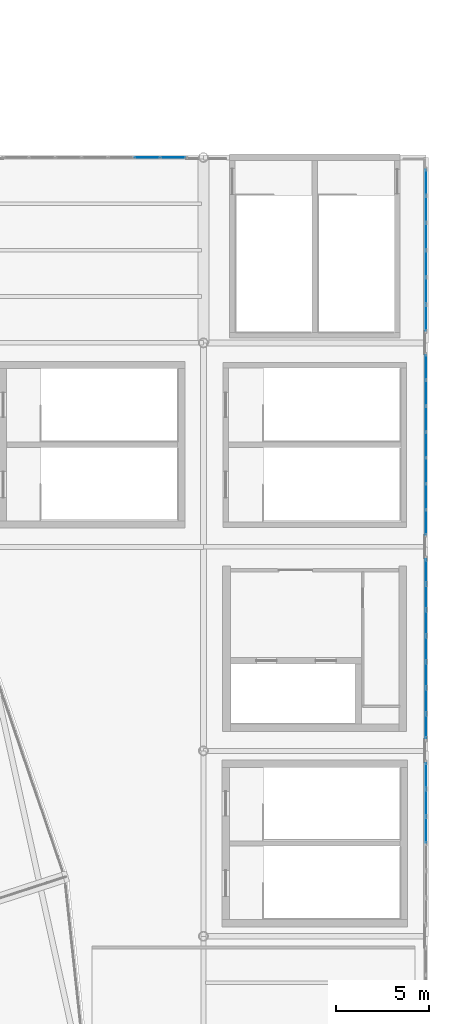
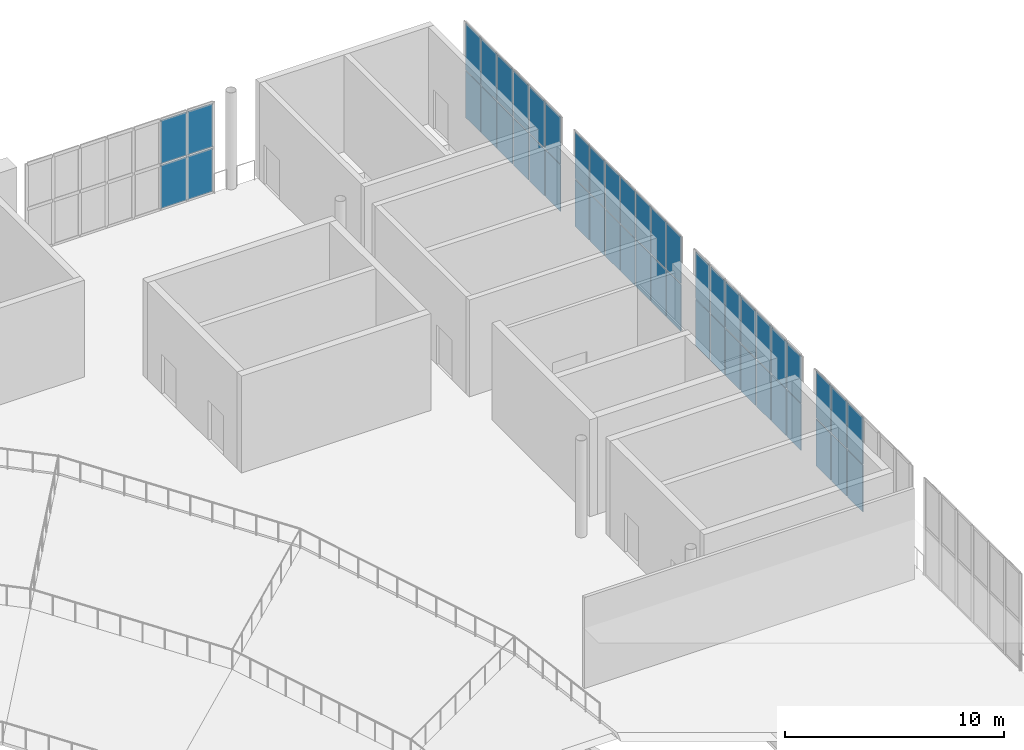
# One storey, part 49 of 74: 50 plates, 5 elements without a shape of their own.
"""IFC4 building model written with IfcOpenShell, lengths in metres."""

from ifc_helpers import new_model, si_unit, direction, frame, origin, origin_2d, place, context, subcontext, project, spatial, rectangle, extrude, material, layer, layer_set, type_object, element, aggregate, save


model = new_model("IFC4")

# Units and contexts
model_context = context("Model", 3, precision=1e-05, world=origin(), true_north=direction((0.0, 1.0)))
body_context = subcontext(model_context, "Body", "Model", "MODEL_VIEW")
ifc_project = project(units=[si_unit("LENGTHUNIT", "METRE"), si_unit("AREAUNIT", "SQUARE_METRE"), si_unit("VOLUMEUNIT", "CUBIC_METRE"), si_unit("PLANEANGLEUNIT", "RADIAN"), si_unit("MASSUNIT", "GRAM", prefix="KILO")], contexts=[model_context])

# Site, building, storey
site_placement = place(None, origin())
site = spatial("IfcSite", under=ifc_project, at=site_placement, CompositionType="ELEMENT")
building_placement = place(site_placement, origin())
building = spatial("IfcBuilding", under=site, at=building_placement, Name="Brinegate Civic Arena", CompositionType="ELEMENT")
storey_placement = place(building_placement, frame((0.0, 0.0, 19.199951171875)))
storey = spatial("IfcBuildingStorey", under=building, at=storey_placement, Name="L04", CompositionType="ELEMENT", Elevation=19.199951171875)

# Curtain wall, plates
ifc_material_1 = material(Name="Marine grade aluminium", Category="aluminium")
ifc_layer_1 = layer(ifc_material_1, 0.199951171875, Name="Marine grade aluminium")
ifc_layer_set_1 = layer_set([ifc_layer_1], Name="Marine grade aluminium")
curtain_wall_type = type_object("IfcCurtainWallType", Name="CW-BOWL-GLAZED-01", PredefinedType="USERDEFINED", material=ifc_layer_set_1)
curtain_wall_1_placement = place(storey_placement, origin())
curtain_wall_1 = element("IfcCurtainWall", 1, at=curtain_wall_1_placement, inside=storey, type_object=curtain_wall_type, Name="Curtain Wall CWA-142", ObjectType="GLAZED CURTAIN WALL", PredefinedType="USERDEFINED")
ifc_material_2 = material(Name="Hurricane laminated low-E glass", Category="glass")
ifc_layer_2 = layer(ifc_material_2, 0.028076171875, Name="Hurricane laminated low-E glass")
ifc_layer_set_2 = layer_set([ifc_layer_2], Name="Hurricane laminated low-E glass")
plate_type_1 = type_object("IfcPlateType", Name="CW-PANEL-GLAZED-28", PredefinedType="CURTAIN_PANEL", material=ifc_layer_set_2)
plate_1_placement = place(storey_placement, frame((168.0, 94.316162109375, 0.06494140625), z_axis=(0.0, 0.0, 1.0), x_axis=(0.0, 1.0, 0.0)))
plate_1 = element("IfcPlate", 2, at=plate_1_placement, type_object=plate_type_1, Name="CWA-142 panel 1.1", PredefinedType="CURTAIN_PANEL", context=body_context, shape_type="SweptSolid", body=[
    extrude(rectangle(XDim=1.302490234375, YDim=0.028076171875, at=origin_2d()), origin(), (0.0, 0.0, 1.0), 2.6025390625),
])
plate_2_placement = place(storey_placement, frame((168.0, 94.316162109375, 2.732421875), z_axis=(0.0, 0.0, 1.0), x_axis=(0.0, 1.0, 0.0)))
plate_2 = element("IfcPlate", 3, at=plate_2_placement, type_object=plate_type_1, Name="CWA-142 panel 1.2", PredefinedType="CURTAIN_PANEL", context=body_context, shape_type="SweptSolid", body=[
    extrude(rectangle(XDim=1.302490234375, YDim=0.028076171875, at=origin_2d()), origin(), (0.0, 0.0, 1.0), 2.6025390625),
])
plate_3_placement = place(storey_placement, frame((168.0, 95.699951171875, 0.06494140625), z_axis=(0.0, 0.0, 1.0), x_axis=(0.0, 1.0, 0.0)))
plate_3 = element("IfcPlate", 4, at=plate_3_placement, type_object=plate_type_1, Name="CWA-142 panel 2.1", PredefinedType="CURTAIN_PANEL", context=body_context, shape_type="SweptSolid", body=[
    extrude(rectangle(XDim=1.3349609375, YDim=0.028076171875, at=origin_2d()), origin(), (0.0, 0.0, 1.0), 2.6025390625),
])
plate_4_placement = place(storey_placement, frame((168.0, 95.699951171875, 2.732421875), z_axis=(0.0, 0.0, 1.0), x_axis=(0.0, 1.0, 0.0)))
plate_4 = element("IfcPlate", 5, at=plate_4_placement, type_object=plate_type_1, Name="CWA-142 panel 2.2", PredefinedType="CURTAIN_PANEL", context=body_context, shape_type="SweptSolid", body=[
    extrude(rectangle(XDim=1.3349609375, YDim=0.028076171875, at=origin_2d()), origin(), (0.0, 0.0, 1.0), 2.6025390625),
])
plate_5_placement = place(storey_placement, frame((168.0, 97.10009765625, 0.06494140625), z_axis=(0.0, 0.0, 1.0), x_axis=(0.0, 1.0, 0.0)))
plate_5 = element("IfcPlate", 6, at=plate_5_placement, type_object=plate_type_1, Name="CWA-142 panel 3.1", PredefinedType="CURTAIN_PANEL", context=body_context, shape_type="SweptSolid", body=[
    extrude(rectangle(XDim=1.3349609375, YDim=0.028076171875, at=origin_2d()), origin(), (0.0, 0.0, 1.0), 2.6025390625),
])
plate_6_placement = place(storey_placement, frame((168.0, 97.10009765625, 2.732421875), z_axis=(0.0, 0.0, 1.0), x_axis=(0.0, 1.0, 0.0)))
plate_6 = element("IfcPlate", 7, at=plate_6_placement, type_object=plate_type_1, Name="CWA-142 panel 3.2", PredefinedType="CURTAIN_PANEL", context=body_context, shape_type="SweptSolid", body=[
    extrude(rectangle(XDim=1.3349609375, YDim=0.028076171875, at=origin_2d()), origin(), (0.0, 0.0, 1.0), 2.6025390625),
])
plate_7_placement = place(storey_placement, frame((168.0, 98.5, 0.06494140625), z_axis=(0.0, 0.0, 1.0), x_axis=(0.0, 1.0, 0.0)))
plate_7 = element("IfcPlate", 8, at=plate_7_placement, type_object=plate_type_1, Name="CWA-142 panel 4.1", PredefinedType="CURTAIN_PANEL", context=body_context, shape_type="SweptSolid", body=[
    extrude(rectangle(XDim=1.3349609375, YDim=0.028076171875, at=origin_2d()), origin(), (0.0, 0.0, 1.0), 2.6025390625),
])
plate_8_placement = place(storey_placement, frame((168.0, 98.5, 2.732421875), z_axis=(0.0, 0.0, 1.0), x_axis=(0.0, 1.0, 0.0)))
plate_8 = element("IfcPlate", 9, at=plate_8_placement, type_object=plate_type_1, Name="CWA-142 panel 4.2", PredefinedType="CURTAIN_PANEL", context=body_context, shape_type="SweptSolid", body=[
    extrude(rectangle(XDim=1.3349609375, YDim=0.028076171875, at=origin_2d()), origin(), (0.0, 0.0, 1.0), 2.6025390625),
])
plate_9_placement = place(storey_placement, frame((168.0, 99.89990234375, 0.06494140625), z_axis=(0.0, 0.0, 1.0), x_axis=(0.0, 1.0, 0.0)))
plate_9 = element("IfcPlate", 10, at=plate_9_placement, type_object=plate_type_1, Name="CWA-142 panel 5.1", PredefinedType="CURTAIN_PANEL", context=body_context, shape_type="SweptSolid", body=[
    extrude(rectangle(XDim=1.3349609375, YDim=0.028076171875, at=origin_2d()), origin(), (0.0, 0.0, 1.0), 2.6025390625),
])
plate_10_placement = place(storey_placement, frame((168.0, 99.89990234375, 2.732421875), z_axis=(0.0, 0.0, 1.0), x_axis=(0.0, 1.0, 0.0)))
plate_10 = element("IfcPlate", 11, at=plate_10_placement, type_object=plate_type_1, Name="CWA-142 panel 5.2", PredefinedType="CURTAIN_PANEL", context=body_context, shape_type="SweptSolid", body=[
    extrude(rectangle(XDim=1.3349609375, YDim=0.028076171875, at=origin_2d()), origin(), (0.0, 0.0, 1.0), 2.6025390625),
])
plate_11_placement = place(storey_placement, frame((168.0, 101.300048828125, 0.06494140625), z_axis=(0.0, 0.0, 1.0), x_axis=(0.0, 1.0, 0.0)))
plate_11 = element("IfcPlate", 12, at=plate_11_placement, type_object=plate_type_1, Name="CWA-142 panel 6.1", PredefinedType="CURTAIN_PANEL", context=body_context, shape_type="SweptSolid", body=[
    extrude(rectangle(XDim=1.3349609375, YDim=0.028076171875, at=origin_2d()), origin(), (0.0, 0.0, 1.0), 2.6025390625),
])
plate_12_placement = place(storey_placement, frame((168.0, 101.300048828125, 2.732421875), z_axis=(0.0, 0.0, 1.0), x_axis=(0.0, 1.0, 0.0)))
plate_12 = element("IfcPlate", 13, at=plate_12_placement, type_object=plate_type_1, Name="CWA-142 panel 6.2", PredefinedType="CURTAIN_PANEL", context=body_context, shape_type="SweptSolid", body=[
    extrude(rectangle(XDim=1.3349609375, YDim=0.028076171875, at=origin_2d()), origin(), (0.0, 0.0, 1.0), 2.6025390625),
])
plate_13_placement = place(storey_placement, frame((168.0, 102.683837890625, 0.06494140625), z_axis=(0.0, 0.0, 1.0), x_axis=(0.0, 1.0, 0.0)))
plate_13 = element("IfcPlate", 14, at=plate_13_placement, type_object=plate_type_1, Name="CWA-142 panel 7.1", PredefinedType="CURTAIN_PANEL", context=body_context, shape_type="SweptSolid", body=[
    extrude(rectangle(XDim=1.302490234375, YDim=0.028076171875, at=origin_2d()), origin(), (0.0, 0.0, 1.0), 2.6025390625),
])
plate_14_placement = place(storey_placement, frame((168.0, 102.683837890625, 2.732421875), z_axis=(0.0, 0.0, 1.0), x_axis=(0.0, 1.0, 0.0)))
plate_14 = element("IfcPlate", 15, at=plate_14_placement, type_object=plate_type_1, Name="CWA-142 panel 7.2", PredefinedType="CURTAIN_PANEL", context=body_context, shape_type="SweptSolid", body=[
    extrude(rectangle(XDim=1.302490234375, YDim=0.028076171875, at=origin_2d()), origin(), (0.0, 0.0, 1.0), 2.6025390625),
])
aggregate(curtain_wall_1, [plate_1, plate_2, plate_3, plate_4, plate_5, plate_6, plate_7, plate_8, plate_9, plate_10, plate_11, plate_12, plate_13, plate_14])

curtain_wall_2_placement = place(storey_placement, origin())
curtain_wall_2 = element("IfcCurtainWall", 16, at=curtain_wall_2_placement, inside=storey, type_object=curtain_wall_type, Name="Curtain Wall CWA-152", ObjectType="GLAZED CURTAIN WALL", PredefinedType="USERDEFINED")
plate_15_placement = place(storey_placement, frame((152.968505859375, 114.0, 0.0751953125), z_axis=(0.0, 0.0, 1.0), x_axis=(1.0, 0.0, 0.0)))
plate_15 = element("IfcPlate", 17, at=plate_15_placement, type_object=plate_type_1, Name="CWA-152 panel 6.1", PredefinedType="CURTAIN_PANEL", context=body_context, shape_type="SweptSolid", body=[
    extrude(rectangle(XDim=1.35009765625, YDim=0.028076171875, at=origin_2d()), origin(), (0.0, 0.0, 1.0), 2.422607421875),
])
plate_16_placement = place(storey_placement, frame((152.968505859375, 114.0, 2.572265625), z_axis=(0.0, 0.0, 1.0), x_axis=(1.0, 0.0, 0.0)))
plate_16 = element("IfcPlate", 18, at=plate_16_placement, type_object=plate_type_1, Name="CWA-152 panel 6.2", PredefinedType="CURTAIN_PANEL", context=body_context, shape_type="SweptSolid", body=[
    extrude(rectangle(XDim=1.35009765625, YDim=0.028076171875, at=origin_2d()), origin(), (0.0, 0.0, 1.0), 2.422607421875),
])
plate_17_placement = place(storey_placement, frame((154.3671875, 114.0, 0.0751953125), z_axis=(0.0, 0.0, 1.0), x_axis=(1.0, 0.0, 0.0)))
plate_17 = element("IfcPlate", 19, at=plate_17_placement, type_object=plate_type_1, Name="CWA-152 panel 7.1", PredefinedType="CURTAIN_PANEL", context=body_context, shape_type="SweptSolid", body=[
    extrude(rectangle(XDim=1.3173828125, YDim=0.028076171875, at=origin_2d()), origin(), (0.0, 0.0, 1.0), 2.422607421875),
])
plate_18_placement = place(storey_placement, frame((154.3671875, 114.0, 2.572265625), z_axis=(0.0, 0.0, 1.0), x_axis=(1.0, 0.0, 0.0)))
plate_18 = element("IfcPlate", 20, at=plate_18_placement, type_object=plate_type_1, Name="CWA-152 panel 7.2", PredefinedType="CURTAIN_PANEL", context=body_context, shape_type="SweptSolid", body=[
    extrude(rectangle(XDim=1.3173828125, YDim=0.028076171875, at=origin_2d()), origin(), (0.0, 0.0, 1.0), 2.422607421875),
])
aggregate(curtain_wall_2, [plate_15, plate_16, plate_17, plate_18])

curtain_wall_3_placement = place(storey_placement, origin())
curtain_wall_3 = element("IfcCurtainWall", 21, at=curtain_wall_3_placement, inside=storey, type_object=curtain_wall_type, Name="Curtain Wall CWA-143", ObjectType="GLAZED CURTAIN WALL", PredefinedType="USERDEFINED")
ifc_layer_3 = layer(ifc_material_2, 0.031982421875, Name="Hurricane laminated low-E glass")
ifc_layer_set_3 = layer_set([ifc_layer_3], Name="Hurricane laminated low-E glass")
plate_type_2 = type_object("IfcPlateType", Name="CW-PANEL-GLAZED-32", PredefinedType="CURTAIN_PANEL", material=ifc_layer_set_3)
plate_19_placement = place(storey_placement, frame((168.0, 105.349609375, 0.06494140625), z_axis=(0.0, 0.0, 1.0), x_axis=(0.0, 1.0, 0.0)))
plate_19 = element("IfcPlate", 22, at=plate_19_placement, type_object=plate_type_2, Name="CWA-143 panel 1.1", PredefinedType="CURTAIN_PANEL", context=body_context, shape_type="SweptSolid", body=[
    extrude(rectangle(XDim=1.369140625, YDim=0.031982421875, at=origin_2d()), origin(), (0.0, 0.0, 1.0), 2.6025390625),
])
plate_20_placement = place(storey_placement, frame((168.0, 105.349609375, 2.732421875), z_axis=(0.0, 0.0, 1.0), x_axis=(0.0, 1.0, 0.0)))
plate_20 = element("IfcPlate", 23, at=plate_20_placement, type_object=plate_type_2, Name="CWA-143 panel 1.2", PredefinedType="CURTAIN_PANEL", context=body_context, shape_type="SweptSolid", body=[
    extrude(rectangle(XDim=1.369140625, YDim=0.031982421875, at=origin_2d()), origin(), (0.0, 0.0, 1.0), 2.6025390625),
])
plate_21_placement = place(storey_placement, frame((168.0, 106.800048828125, 0.06494140625), z_axis=(0.0, 0.0, 1.0), x_axis=(0.0, 1.0, 0.0)))
plate_21 = element("IfcPlate", 24, at=plate_21_placement, type_object=plate_type_2, Name="CWA-143 panel 2.1", PredefinedType="CURTAIN_PANEL", context=body_context, shape_type="SweptSolid", body=[
    extrude(rectangle(XDim=1.401611328125, YDim=0.031982421875, at=origin_2d()), origin(), (0.0, 0.0, 1.0), 2.6025390625),
])
plate_22_placement = place(storey_placement, frame((168.0, 106.800048828125, 2.732421875), z_axis=(0.0, 0.0, 1.0), x_axis=(0.0, 1.0, 0.0)))
plate_22 = element("IfcPlate", 25, at=plate_22_placement, type_object=plate_type_2, Name="CWA-143 panel 2.2", PredefinedType="CURTAIN_PANEL", context=body_context, shape_type="SweptSolid", body=[
    extrude(rectangle(XDim=1.401611328125, YDim=0.031982421875, at=origin_2d()), origin(), (0.0, 0.0, 1.0), 2.6025390625),
])
plate_23_placement = place(storey_placement, frame((168.0, 108.2666015625, 0.06494140625), z_axis=(0.0, 0.0, 1.0), x_axis=(0.0, 1.0, 0.0)))
plate_23 = element("IfcPlate", 26, at=plate_23_placement, type_object=plate_type_2, Name="CWA-143 panel 3.1", PredefinedType="CURTAIN_PANEL", context=body_context, shape_type="SweptSolid", body=[
    extrude(rectangle(XDim=1.401611328125, YDim=0.031982421875, at=origin_2d()), origin(), (0.0, 0.0, 1.0), 2.6025390625),
])
plate_24_placement = place(storey_placement, frame((168.0, 108.2666015625, 2.732421875), z_axis=(0.0, 0.0, 1.0), x_axis=(0.0, 1.0, 0.0)))
plate_24 = element("IfcPlate", 27, at=plate_24_placement, type_object=plate_type_2, Name="CWA-143 panel 3.2", PredefinedType="CURTAIN_PANEL", context=body_context, shape_type="SweptSolid", body=[
    extrude(rectangle(XDim=1.401611328125, YDim=0.031982421875, at=origin_2d()), origin(), (0.0, 0.0, 1.0), 2.6025390625),
])
plate_25_placement = place(storey_placement, frame((168.0, 109.7333984375, 0.06494140625), z_axis=(0.0, 0.0, 1.0), x_axis=(0.0, 1.0, 0.0)))
plate_25 = element("IfcPlate", 28, at=plate_25_placement, type_object=plate_type_2, Name="CWA-143 panel 4.1", PredefinedType="CURTAIN_PANEL", context=body_context, shape_type="SweptSolid", body=[
    extrude(rectangle(XDim=1.401611328125, YDim=0.031982421875, at=origin_2d()), origin(), (0.0, 0.0, 1.0), 2.6025390625),
])
plate_26_placement = place(storey_placement, frame((168.0, 109.7333984375, 2.732421875), z_axis=(0.0, 0.0, 1.0), x_axis=(0.0, 1.0, 0.0)))
plate_26 = element("IfcPlate", 29, at=plate_26_placement, type_object=plate_type_2, Name="CWA-143 panel 4.2", PredefinedType="CURTAIN_PANEL", context=body_context, shape_type="SweptSolid", body=[
    extrude(rectangle(XDim=1.401611328125, YDim=0.031982421875, at=origin_2d()), origin(), (0.0, 0.0, 1.0), 2.6025390625),
])
plate_27_placement = place(storey_placement, frame((168.0, 111.199951171875, 0.06494140625), z_axis=(0.0, 0.0, 1.0), x_axis=(0.0, 1.0, 0.0)))
plate_27 = element("IfcPlate", 30, at=plate_27_placement, type_object=plate_type_2, Name="CWA-143 panel 5.1", PredefinedType="CURTAIN_PANEL", context=body_context, shape_type="SweptSolid", body=[
    extrude(rectangle(XDim=1.401611328125, YDim=0.031982421875, at=origin_2d()), origin(), (0.0, 0.0, 1.0), 2.6025390625),
])
plate_28_placement = place(storey_placement, frame((168.0, 111.199951171875, 2.732421875), z_axis=(0.0, 0.0, 1.0), x_axis=(0.0, 1.0, 0.0)))
plate_28 = element("IfcPlate", 31, at=plate_28_placement, type_object=plate_type_2, Name="CWA-143 panel 5.2", PredefinedType="CURTAIN_PANEL", context=body_context, shape_type="SweptSolid", body=[
    extrude(rectangle(XDim=1.401611328125, YDim=0.031982421875, at=origin_2d()), origin(), (0.0, 0.0, 1.0), 2.6025390625),
])
plate_29_placement = place(storey_placement, frame((168.0, 112.650390625, 0.06494140625), z_axis=(0.0, 0.0, 1.0), x_axis=(0.0, 1.0, 0.0)))
plate_29 = element("IfcPlate", 32, at=plate_29_placement, type_object=plate_type_2, Name="CWA-143 panel 6.1", PredefinedType="CURTAIN_PANEL", context=body_context, shape_type="SweptSolid", body=[
    extrude(rectangle(XDim=1.369140625, YDim=0.031982421875, at=origin_2d()), origin(), (0.0, 0.0, 1.0), 2.6025390625),
])
plate_30_placement = place(storey_placement, frame((168.0, 112.650390625, 2.732421875), z_axis=(0.0, 0.0, 1.0), x_axis=(0.0, 1.0, 0.0)))
plate_30 = element("IfcPlate", 33, at=plate_30_placement, type_object=plate_type_2, Name="CWA-143 panel 6.2", PredefinedType="CURTAIN_PANEL", context=body_context, shape_type="SweptSolid", body=[
    extrude(rectangle(XDim=1.369140625, YDim=0.031982421875, at=origin_2d()), origin(), (0.0, 0.0, 1.0), 2.6025390625),
])
aggregate(curtain_wall_3, [plate_19, plate_20, plate_21, plate_22, plate_23, plate_24, plate_25, plate_26, plate_27, plate_28, plate_29, plate_30])

curtain_wall_4_placement = place(storey_placement, origin())
curtain_wall_4 = element("IfcCurtainWall", 34, at=curtain_wall_4_placement, inside=storey, type_object=curtain_wall_type, Name="Curtain Wall CWA-140", ObjectType="GLAZED CURTAIN WALL", PredefinedType="USERDEFINED")
ifc_layer_4 = layer(ifc_material_2, 0.035888671875, Name="Hurricane laminated low-E glass")
ifc_layer_set_4 = layer_set([ifc_layer_4], Name="Hurricane laminated low-E glass")
plate_type_3 = type_object("IfcPlateType", Name="CW-PANEL-GLAZED-36", PredefinedType="CURTAIN_PANEL", material=ifc_layer_set_4)
plate_31_placement = place(storey_placement, frame((168.0, 77.7333984375, 0.06494140625), z_axis=(0.0, 0.0, 1.0), x_axis=(0.0, 1.0, 0.0)))
plate_31 = element("IfcPlate", 35, at=plate_31_placement, type_object=plate_type_3, Name="CWA-140 panel 4.1", PredefinedType="CURTAIN_PANEL", context=body_context, shape_type="SweptSolid", body=[
    extrude(rectangle(XDim=1.3916015625, YDim=0.035888671875, at=origin_2d()), origin(), (0.0, 0.0, 1.0), 2.6025390625),
])
plate_32_placement = place(storey_placement, frame((168.0, 77.7333984375, 2.732421875), z_axis=(0.0, 0.0, 1.0), x_axis=(0.0, 1.0, 0.0)))
plate_32 = element("IfcPlate", 36, at=plate_32_placement, type_object=plate_type_3, Name="CWA-140 panel 4.2", PredefinedType="CURTAIN_PANEL", context=body_context, shape_type="SweptSolid", body=[
    extrude(rectangle(XDim=1.3916015625, YDim=0.035888671875, at=origin_2d()), origin(), (0.0, 0.0, 1.0), 2.6025390625),
])
plate_33_placement = place(storey_placement, frame((168.0, 79.199951171875, 0.06494140625), z_axis=(0.0, 0.0, 1.0), x_axis=(0.0, 1.0, 0.0)))
plate_33 = element("IfcPlate", 37, at=plate_33_placement, type_object=plate_type_3, Name="CWA-140 panel 5.1", PredefinedType="CURTAIN_PANEL", context=body_context, shape_type="SweptSolid", body=[
    extrude(rectangle(XDim=1.3916015625, YDim=0.035888671875, at=origin_2d()), origin(), (0.0, 0.0, 1.0), 2.6025390625),
])
plate_34_placement = place(storey_placement, frame((168.0, 79.199951171875, 2.732421875), z_axis=(0.0, 0.0, 1.0), x_axis=(0.0, 1.0, 0.0)))
plate_34 = element("IfcPlate", 38, at=plate_34_placement, type_object=plate_type_3, Name="CWA-140 panel 5.2", PredefinedType="CURTAIN_PANEL", context=body_context, shape_type="SweptSolid", body=[
    extrude(rectangle(XDim=1.3916015625, YDim=0.035888671875, at=origin_2d()), origin(), (0.0, 0.0, 1.0), 2.6025390625),
])
plate_35_placement = place(storey_placement, frame((168.0, 80.64794921875, 0.06494140625), z_axis=(0.0, 0.0, 1.0), x_axis=(0.0, 1.0, 0.0)))
plate_35 = element("IfcPlate", 39, at=plate_35_placement, type_object=plate_type_3, Name="CWA-140 panel 6.1", PredefinedType="CURTAIN_PANEL", context=body_context, shape_type="SweptSolid", body=[
    extrude(rectangle(XDim=1.354248046875, YDim=0.035888671875, at=origin_2d()), origin(), (0.0, 0.0, 1.0), 2.6025390625),
])
plate_36_placement = place(storey_placement, frame((168.0, 80.64794921875, 2.732421875), z_axis=(0.0, 0.0, 1.0), x_axis=(0.0, 1.0, 0.0)))
plate_36 = element("IfcPlate", 40, at=plate_36_placement, type_object=plate_type_3, Name="CWA-140 panel 6.2", PredefinedType="CURTAIN_PANEL", context=body_context, shape_type="SweptSolid", body=[
    extrude(rectangle(XDim=1.354248046875, YDim=0.035888671875, at=origin_2d()), origin(), (0.0, 0.0, 1.0), 2.6025390625),
])
aggregate(curtain_wall_4, [plate_31, plate_32, plate_33, plate_34, plate_35, plate_36])

curtain_wall_5_placement = place(storey_placement, origin())
curtain_wall_5 = element("IfcCurtainWall", 41, at=curtain_wall_5_placement, inside=storey, type_object=curtain_wall_type, Name="Curtain Wall CWA-141", ObjectType="GLAZED CURTAIN WALL", PredefinedType="USERDEFINED")
ifc_layer_5 = layer(ifc_material_2, 0.0419921875, Name="Hurricane laminated low-E glass")
ifc_layer_set_5 = layer_set([ifc_layer_5], Name="Hurricane laminated low-E glass")
plate_type_4 = type_object("IfcPlateType", Name="CW-PANEL-SPANDREL-42", PredefinedType="CURTAIN_PANEL", material=ifc_layer_set_5)
plate_37_placement = place(storey_placement, frame((168.0, 83.320068359375, 0.0751953125), z_axis=(0.0, 0.0, 1.0), x_axis=(0.0, 1.0, 0.0)))
plate_37 = element("IfcPlate", 42, at=plate_37_placement, type_object=plate_type_4, Name="CWA-141 panel 1.1", PredefinedType="CURTAIN_PANEL", context=body_context, shape_type="SweptSolid", body=[
    extrude(rectangle(XDim=1.280029296875, YDim=0.0419921875, at=origin_2d()), origin(), (0.0, 0.0, 1.0), 2.58740234375),
])
plate_38_placement = place(storey_placement, frame((168.0, 83.320068359375, 2.737548828125), z_axis=(0.0, 0.0, 1.0), x_axis=(0.0, 1.0, 0.0)))
plate_38 = element("IfcPlate", 43, at=plate_38_placement, type_object=plate_type_4, Name="CWA-141 panel 1.2", PredefinedType="CURTAIN_PANEL", context=body_context, shape_type="SweptSolid", body=[
    extrude(rectangle(XDim=1.280029296875, YDim=0.0419921875, at=origin_2d()), origin(), (0.0, 0.0, 1.0), 2.58740234375),
])
plate_39_placement = place(storey_placement, frame((168.0, 84.699951171875, 0.0751953125), z_axis=(0.0, 0.0, 1.0), x_axis=(0.0, 1.0, 0.0)))
plate_39 = element("IfcPlate", 44, at=plate_39_placement, type_object=plate_type_4, Name="CWA-141 panel 2.1", PredefinedType="CURTAIN_PANEL", context=body_context, shape_type="SweptSolid", body=[
    extrude(rectangle(XDim=1.320068359375, YDim=0.0419921875, at=origin_2d()), origin(), (0.0, 0.0, 1.0), 2.58740234375),
])
plate_40_placement = place(storey_placement, frame((168.0, 84.699951171875, 2.737548828125), z_axis=(0.0, 0.0, 1.0), x_axis=(0.0, 1.0, 0.0)))
plate_40 = element("IfcPlate", 45, at=plate_40_placement, type_object=plate_type_4, Name="CWA-141 panel 2.2", PredefinedType="CURTAIN_PANEL", context=body_context, shape_type="SweptSolid", body=[
    extrude(rectangle(XDim=1.320068359375, YDim=0.0419921875, at=origin_2d()), origin(), (0.0, 0.0, 1.0), 2.58740234375),
])
plate_41_placement = place(storey_placement, frame((168.0, 86.10009765625, 0.0751953125), z_axis=(0.0, 0.0, 1.0), x_axis=(0.0, 1.0, 0.0)))
plate_41 = element("IfcPlate", 46, at=plate_41_placement, type_object=plate_type_4, Name="CWA-141 panel 3.1", PredefinedType="CURTAIN_PANEL", context=body_context, shape_type="SweptSolid", body=[
    extrude(rectangle(XDim=1.320068359375, YDim=0.0419921875, at=origin_2d()), origin(), (0.0, 0.0, 1.0), 2.58740234375),
])
plate_42_placement = place(storey_placement, frame((168.0, 86.10009765625, 2.737548828125), z_axis=(0.0, 0.0, 1.0), x_axis=(0.0, 1.0, 0.0)))
plate_42 = element("IfcPlate", 47, at=plate_42_placement, type_object=plate_type_4, Name="CWA-141 panel 3.2", PredefinedType="CURTAIN_PANEL", context=body_context, shape_type="SweptSolid", body=[
    extrude(rectangle(XDim=1.320068359375, YDim=0.0419921875, at=origin_2d()), origin(), (0.0, 0.0, 1.0), 2.58740234375),
])
plate_43_placement = place(storey_placement, frame((168.0, 87.5, 0.0751953125), z_axis=(0.0, 0.0, 1.0), x_axis=(0.0, 1.0, 0.0)))
plate_43 = element("IfcPlate", 48, at=plate_43_placement, type_object=plate_type_4, Name="CWA-141 panel 4.1", PredefinedType="CURTAIN_PANEL", context=body_context, shape_type="SweptSolid", body=[
    extrude(rectangle(XDim=1.320068359375, YDim=0.0419921875, at=origin_2d()), origin(), (0.0, 0.0, 1.0), 2.58740234375),
])
plate_44_placement = place(storey_placement, frame((168.0, 87.5, 2.737548828125), z_axis=(0.0, 0.0, 1.0), x_axis=(0.0, 1.0, 0.0)))
plate_44 = element("IfcPlate", 49, at=plate_44_placement, type_object=plate_type_4, Name="CWA-141 panel 4.2", PredefinedType="CURTAIN_PANEL", context=body_context, shape_type="SweptSolid", body=[
    extrude(rectangle(XDim=1.320068359375, YDim=0.0419921875, at=origin_2d()), origin(), (0.0, 0.0, 1.0), 2.58740234375),
])
plate_45_placement = place(storey_placement, frame((168.0, 88.89990234375, 0.0751953125), z_axis=(0.0, 0.0, 1.0), x_axis=(0.0, 1.0, 0.0)))
plate_45 = element("IfcPlate", 50, at=plate_45_placement, type_object=plate_type_4, Name="CWA-141 panel 5.1", PredefinedType="CURTAIN_PANEL", context=body_context, shape_type="SweptSolid", body=[
    extrude(rectangle(XDim=1.320068359375, YDim=0.0419921875, at=origin_2d()), origin(), (0.0, 0.0, 1.0), 2.58740234375),
])
plate_46_placement = place(storey_placement, frame((168.0, 88.89990234375, 2.737548828125), z_axis=(0.0, 0.0, 1.0), x_axis=(0.0, 1.0, 0.0)))
plate_46 = element("IfcPlate", 51, at=plate_46_placement, type_object=plate_type_4, Name="CWA-141 panel 5.2", PredefinedType="CURTAIN_PANEL", context=body_context, shape_type="SweptSolid", body=[
    extrude(rectangle(XDim=1.320068359375, YDim=0.0419921875, at=origin_2d()), origin(), (0.0, 0.0, 1.0), 2.58740234375),
])
plate_47_placement = place(storey_placement, frame((168.0, 90.300048828125, 0.0751953125), z_axis=(0.0, 0.0, 1.0), x_axis=(0.0, 1.0, 0.0)))
plate_47 = element("IfcPlate", 52, at=plate_47_placement, type_object=plate_type_4, Name="CWA-141 panel 6.1", PredefinedType="CURTAIN_PANEL", context=body_context, shape_type="SweptSolid", body=[
    extrude(rectangle(XDim=1.320068359375, YDim=0.0419921875, at=origin_2d()), origin(), (0.0, 0.0, 1.0), 2.58740234375),
])
plate_48_placement = place(storey_placement, frame((168.0, 90.300048828125, 2.737548828125), z_axis=(0.0, 0.0, 1.0), x_axis=(0.0, 1.0, 0.0)))
plate_48 = element("IfcPlate", 53, at=plate_48_placement, type_object=plate_type_4, Name="CWA-141 panel 6.2", PredefinedType="CURTAIN_PANEL", context=body_context, shape_type="SweptSolid", body=[
    extrude(rectangle(XDim=1.320068359375, YDim=0.0419921875, at=origin_2d()), origin(), (0.0, 0.0, 1.0), 2.58740234375),
])
plate_49_placement = place(storey_placement, frame((168.0, 91.679931640625, 0.0751953125), z_axis=(0.0, 0.0, 1.0), x_axis=(0.0, 1.0, 0.0)))
plate_49 = element("IfcPlate", 54, at=plate_49_placement, type_object=plate_type_4, Name="CWA-141 panel 7.1", PredefinedType="CURTAIN_PANEL", context=body_context, shape_type="SweptSolid", body=[
    extrude(rectangle(XDim=1.280029296875, YDim=0.0419921875, at=origin_2d()), origin(), (0.0, 0.0, 1.0), 2.58740234375),
])
plate_50_placement = place(storey_placement, frame((168.0, 91.679931640625, 2.737548828125), z_axis=(0.0, 0.0, 1.0), x_axis=(0.0, 1.0, 0.0)))
plate_50 = element("IfcPlate", 55, at=plate_50_placement, type_object=plate_type_4, Name="CWA-141 panel 7.2", PredefinedType="CURTAIN_PANEL", context=body_context, shape_type="SweptSolid", body=[
    extrude(rectangle(XDim=1.280029296875, YDim=0.0419921875, at=origin_2d()), origin(), (0.0, 0.0, 1.0), 2.58740234375),
])
aggregate(curtain_wall_5, [plate_37, plate_38, plate_39, plate_40, plate_41, plate_42, plate_43, plate_44, plate_45, plate_46, plate_47, plate_48, plate_49, plate_50])

save(model, "model.ifc")
